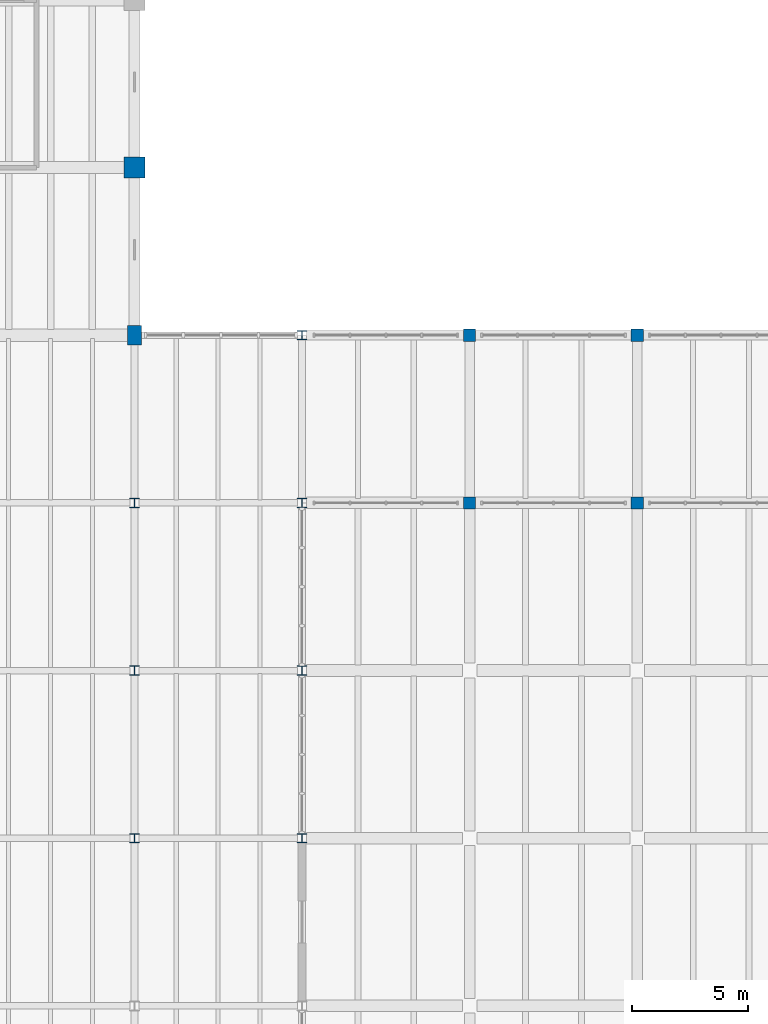
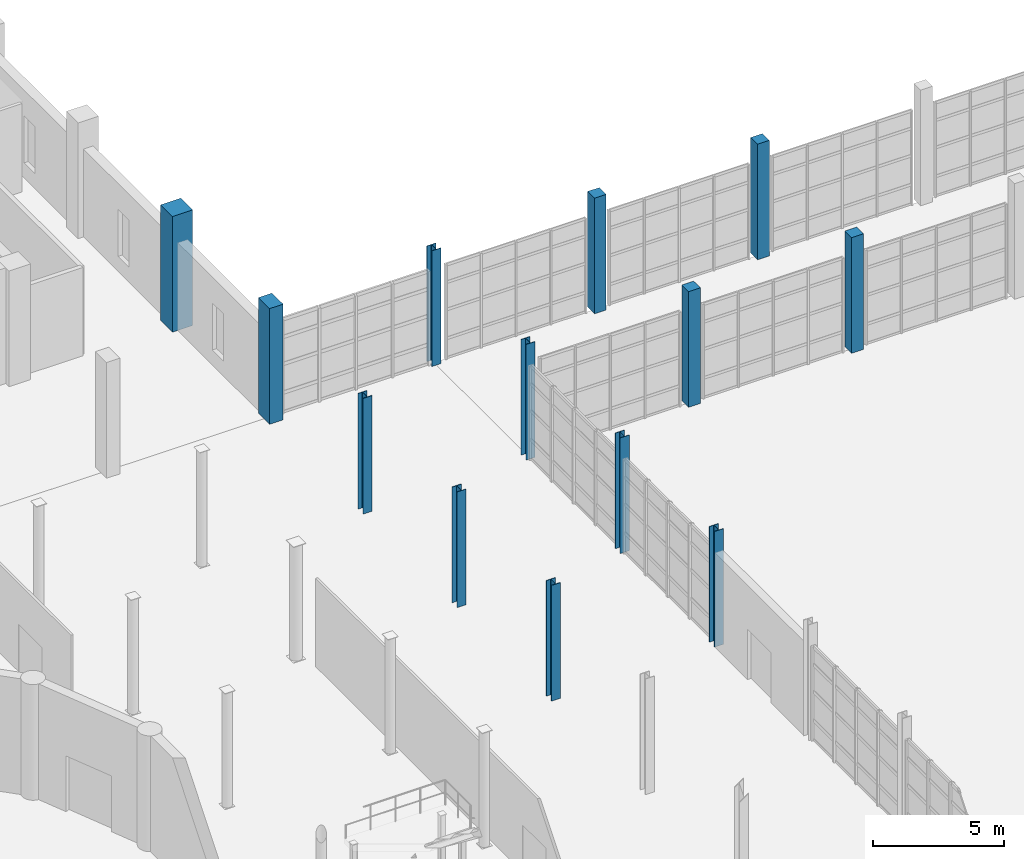
# One storey, part 13 of 79: 13 columns.
"""IFC4 building model written with IfcOpenShell, lengths in metres."""

from ifc_helpers import new_model, si_unit, direction, frame, origin, origin_2d, place, context, subcontext, project, spatial, rectangle, i_section, extrude, material, material_profile, profile_set, type_object, element, save


model = new_model("IFC4")

# Units and contexts
model_context = context("Model", 3, precision=1e-05, world=origin(), true_north=direction((0.0, 1.0)))
body_context = subcontext(model_context, "Body", "Model", "MODEL_VIEW")
ifc_project = project(units=[si_unit("LENGTHUNIT", "METRE"), si_unit("AREAUNIT", "SQUARE_METRE"), si_unit("VOLUMEUNIT", "CUBIC_METRE"), si_unit("PLANEANGLEUNIT", "RADIAN"), si_unit("MASSUNIT", "GRAM", prefix="KILO")], contexts=[model_context])

# Site, building, storey
site_placement = place(None, origin())
site = spatial("IfcSite", under=ifc_project, at=site_placement, CompositionType="ELEMENT")
building_placement = place(site_placement, origin())
building = spatial("IfcBuilding", under=site, at=building_placement, Name="Qiaolan Assembly House", CompositionType="ELEMENT")
storey_placement = place(building_placement, origin())
storey = spatial("IfcBuildingStorey", under=building, at=storey_placement, Name="L00", CompositionType="ELEMENT", Elevation=0.0)

# Columns
ifc_material_1 = material(Name="Concrete C50/60", Category="concrete")
ifc_material_profile_1 = material_profile(ifc_material_1, rectangle(XDim=0.60009765625, YDim=0.85009765625, at=origin_2d()), Name="RC 850x600")
ifc_profile_set_1 = profile_set([ifc_material_profile_1], Name="Concrete C50/60")
column_type_1 = type_object("IfcColumnType", Name="COL-RC-850x600", PredefinedType="COLUMN", material=ifc_profile_set_1)
column_1_placement = place(storey_placement, frame((100.800048828125, 86.39990234375, 0.0), z_axis=(0.0, 0.0, 1.0), x_axis=(1.0, 0.0, 0.0)))
element("IfcColumn", 1, at=column_1_placement, inside=storey, type_object=column_type_1, Name="RC-13 column NW L00", PredefinedType="COLUMN", context=body_context, shape_type="SweptSolid", body=[
    extrude(rectangle(XDim=0.60009765625, YDim=0.85009765625, at=origin_2d()), origin(), (0.0, 0.0, 1.0), 5.39990234375),
])
ifc_material_profile_2 = material_profile(ifc_material_1, rectangle(XDim=0.89990234375, YDim=0.89990234375, at=origin_2d()), Name="RC 900x900")
ifc_profile_set_2 = profile_set([ifc_material_profile_2], Name="Concrete C50/60")
column_type_2 = type_object("IfcColumnType", Name="COL-RC-900", PredefinedType="COLUMN", material=ifc_profile_set_2)
column_2_placement = place(storey_placement, frame((100.800048828125, 93.60009765625, 0.0), z_axis=(0.0, 0.0, 1.0), x_axis=(1.0, 0.0, 0.0)))
element("IfcColumn", 2, at=column_2_placement, inside=storey, type_object=column_type_2, Name="RC-03 column NW L00", PredefinedType="COLUMN", context=body_context, shape_type="SweptSolid", body=[
    extrude(rectangle(XDim=0.89990234375, YDim=0.89990234375, at=origin_2d()), origin(), (0.0, 0.0, 1.0), 5.39990234375),
])
ifc_material_2 = material(Name="Steel Q355B", Category="steel")
ifc_material_profile_3 = material_profile(ifc_material_2, i_section(OverallWidth=0.39990234375, OverallDepth=0.39990234375, WebThickness=0.012939453125, FlangeThickness=0.02099609375, FilletRadius=0.02197265625, at=origin_2d()), Name="HW 400x400x13x21")
ifc_profile_set_3 = profile_set([ifc_material_profile_3], Name="Steel Q355B")
column_type_3 = type_object("IfcColumnType", Name="COL-STL-HW400", PredefinedType="COLUMN", material=ifc_profile_set_3)
for number, where, z_axis, x_axis, name in (
    (3, (100.800048828125, 64.800048828125, 0.0), (0.0, 0.0, 1.0), (1.0, 0.0, 0.0), "SC-01 hall column L00"),
    (4, (100.800048828125, 72.0, 0.0), (0.0, 0.0, 1.0), (1.0, 0.0, 0.0), "SC-01 hall column L00"),
    (5, (100.800048828125, 79.199951171875, 0.0), (0.0, 0.0, 1.0), (1.0, 0.0, 0.0), "SC-01 hall column L00"),
    (6, (108.0, 64.800048828125, 0.0), (0.0, 0.0, 1.0), (1.0, 0.0, 0.0), "SC-01 hall column L00"),
    (7, (108.0, 72.0, 0.0), (0.0, 0.0, 1.0), (1.0, 0.0, 0.0), "SC-01 hall column L00"),
    (8, (108.0, 79.199951171875, 0.0), (0.0, 0.0, 1.0), (1.0, 0.0, 0.0), "SC-01 hall column L00"),
    (9, (108.0, 86.39990234375, 0.0), (0.0, 0.0, 1.0), (1.0, 0.0, 0.0), "SC-01 hall column L00"),
):
    element("IfcColumn", number, at=place(storey_placement, frame(where, z_axis=z_axis, x_axis=x_axis)), inside=storey, type_object=column_type_3, Name=name, PredefinedType="COLUMN", context=body_context, shape_type="SweptSolid", body=[
        extrude(i_section(OverallWidth=0.39990234375, OverallDepth=0.39990234375, WebThickness=0.012939453125, FlangeThickness=0.02099609375, FilletRadius=0.02197265625, at=origin_2d()), origin(), (0.0, 0.0, 1.0), 5.39990234375),
    ])
ifc_material_3 = material(Name="Precast concrete C45/55", Category="concrete")
ifc_material_profile_4 = material_profile(ifc_material_3, rectangle(XDim=0.52001953125, YDim=0.52001953125, at=origin_2d()), Name="PIL 520x520")
ifc_profile_set_4 = profile_set([ifc_material_profile_4], Name="Precast concrete C45/55")
column_type_4 = type_object("IfcColumnType", Name="PIL-CLOISTER-520", PredefinedType="PILASTER", material=ifc_profile_set_4)
for number, where, z_axis, x_axis, name in (
    (10, (115.199951171875, 79.199951171875, 0.0), (0.0, 0.0, 1.0), (1.0, 0.0, 0.0), "PL-06 cloister pier L00"),
    (11, (115.199951171875, 86.39990234375, 0.0), (0.0, 0.0, 1.0), (1.0, 0.0, 0.0), "PL-06 cloister pier L00"),
    (12, (122.39990234375, 79.199951171875, 0.0), (0.0, 0.0, 1.0), (1.0, 0.0, 0.0), "PL-06 cloister pier L00"),
    (13, (122.39990234375, 86.39990234375, 0.0), (0.0, 0.0, 1.0), (1.0, 0.0, 0.0), "PL-06 cloister pier L00"),
):
    element("IfcColumn", number, at=place(storey_placement, frame(where, z_axis=z_axis, x_axis=x_axis)), inside=storey, type_object=column_type_4, Name=name, PredefinedType="PILASTER", context=body_context, shape_type="SweptSolid", body=[
        extrude(rectangle(XDim=0.52001953125, YDim=0.52001953125, at=origin_2d()), origin(), (0.0, 0.0, 1.0), 5.39990234375),
    ])

save(model, "model.ifc")
